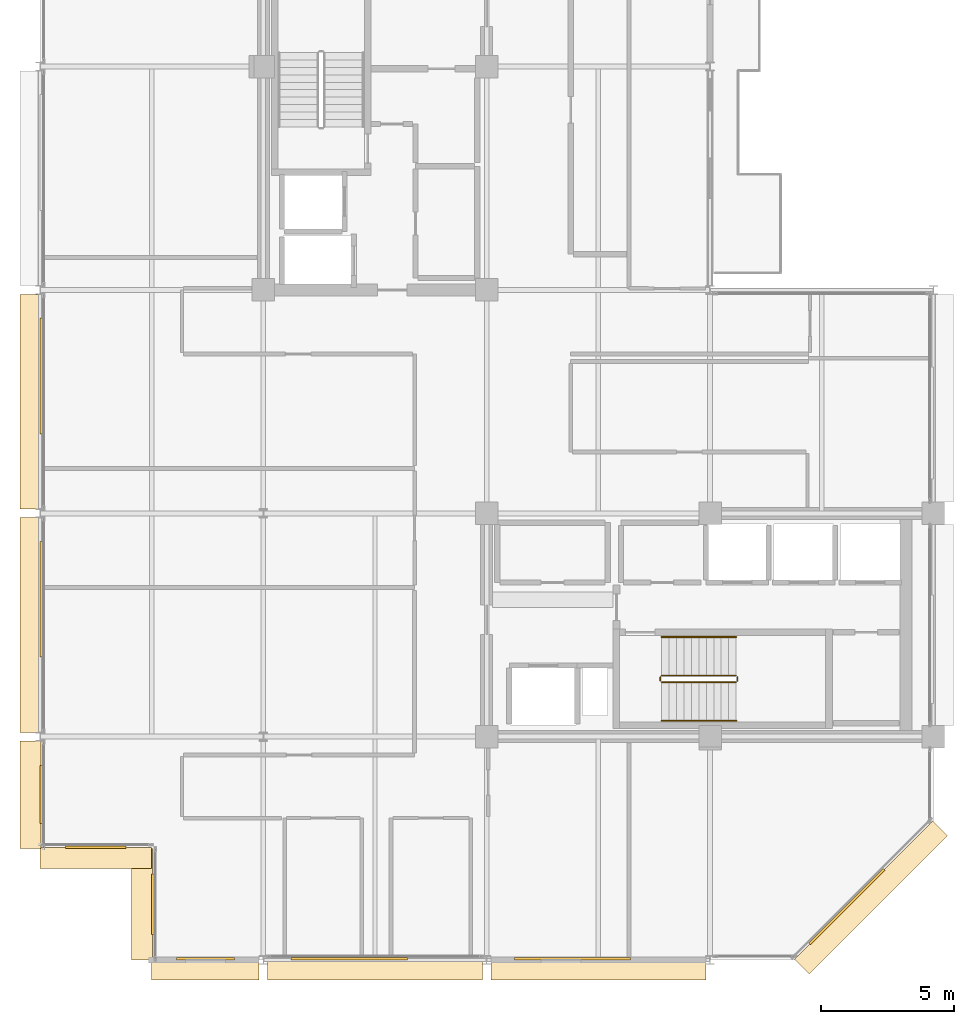
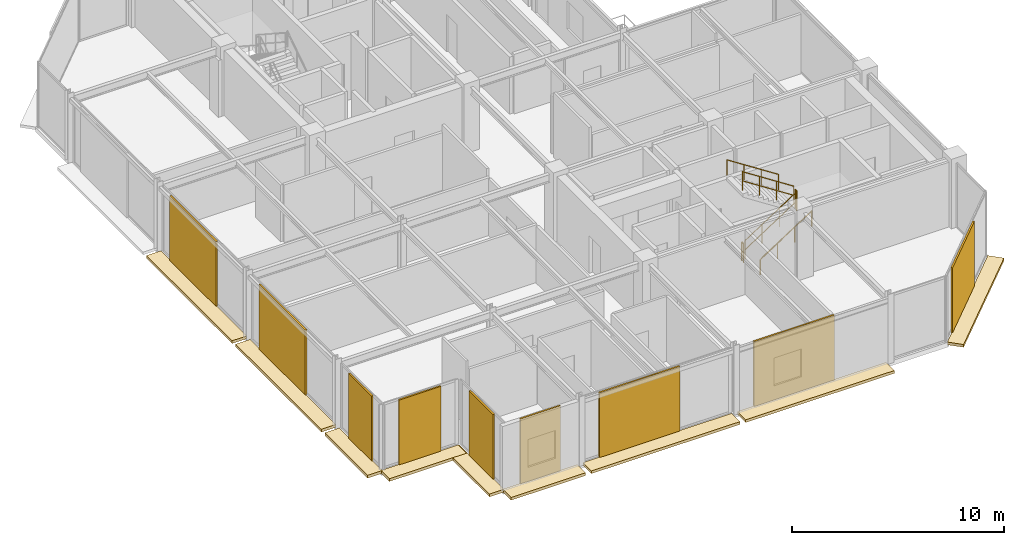
# One storey, part 23 of 25: 18 coverings, 6 railings.
"""IFC4 building model written with IfcOpenShell, lengths in metres."""

from ifc_helpers import new_model, si_unit, direction, frame, origin, origin_2d, place, context, subcontext, project, spatial, polyline, rectangle, circle, outline, extrude, material, layer, layer_set, type_object, element, save


model = new_model("IFC4")

# Units and contexts
model_context = context("Model", 3, precision=1e-05, world=origin(), true_north=direction((0.0, 1.0)))
body_context = subcontext(model_context, "Body", "Model", "MODEL_VIEW")
ifc_project = project(units=[si_unit("LENGTHUNIT", "METRE"), si_unit("AREAUNIT", "SQUARE_METRE"), si_unit("VOLUMEUNIT", "CUBIC_METRE"), si_unit("PLANEANGLEUNIT", "RADIAN"), si_unit("MASSUNIT", "GRAM", prefix="KILO")], contexts=[model_context])

# Site, building, storey
site_placement = place(None, origin())
site = spatial("IfcSite", under=ifc_project, at=site_placement, CompositionType="ELEMENT")
building_placement = place(site_placement, origin())
building = spatial("IfcBuilding", under=site, at=building_placement, Name="Nerrivon Quay Data Exchange", CompositionType="ELEMENT")
storey_placement = place(building_placement, frame((0.0, 0.0, 290.199951171875)))
storey = spatial("IfcBuildingStorey", under=building, at=storey_placement, Name="L69", CompositionType="ELEMENT", Elevation=290.199951171875)

# Coverings
ifc_material_1 = material(Name="Architectural terracotta ceramic", Category="masonry")
ifc_layer_1 = layer(ifc_material_1, 0.159912109375)
ifc_layer_set_1 = layer_set([ifc_layer_1], Name="Architectural terracotta ceramic")
covering_type_1 = type_object("IfcCoveringType", Name="COV-BLD-TERR", PredefinedType="CLADDING", material=ifc_layer_set_1)
covering_1_placement = place(storey_placement, frame((0.0, 0.0, -0.159912109375)))
element("IfcCovering", 1, at=covering_1_placement, inside=storey, type_object=covering_type_1, Name="L69 Horizontal Terracotta SOLAR SCREEN Blade", PredefinedType="CLADDING", context=body_context, shape_type="SweptSolid", body=[
    extrude(outline(polyline([(33.57177734375, 5.228271484375), (28.37158203125, 0.0283203125), (28.930419921875, -0.5302734375), (34.13037109375, 4.669677734375), (33.57177734375, 5.228271484375)])), origin(), (0.0, 0.0, 1.0), 0.159912109375),
])
covering_2_placement = place(storey_placement, frame((0.0, 0.0, -0.159912109375)))
element("IfcCovering", 2, at=covering_2_placement, inside=storey, type_object=covering_type_1, Name="L69 Horizontal Terracotta SOLAR SCREEN Blade", PredefinedType="CLADDING", context=body_context, shape_type="SweptSolid", body=[
    extrude(outline(polyline([(25.04443359375, 0.0400390625), (16.95556640625, 0.0400390625), (16.95556640625, -0.75), (25.04443359375, -0.75), (25.04443359375, 0.0400390625)])), origin(), (0.0, 0.0, 1.0), 0.159912109375),
])
covering_3_placement = place(storey_placement, frame((0.0, 0.0, -0.159912109375)))
element("IfcCovering", 3, at=covering_3_placement, inside=storey, type_object=covering_type_1, Name="L69 Horizontal Terracotta SOLAR SCREEN Blade", PredefinedType="CLADDING", context=body_context, shape_type="SweptSolid", body=[
    extrude(outline(polyline([(16.64453125, 0.0400390625), (8.555419921875, 0.0400390625), (8.555419921875, -0.75), (16.64453125, -0.75), (16.64453125, 0.0400390625)])), origin(), (0.0, 0.0, 1.0), 0.159912109375),
])
covering_4_placement = place(storey_placement, frame((0.0, 0.0, -0.159912109375)))
element("IfcCovering", 4, at=covering_4_placement, inside=storey, type_object=covering_type_1, Name="L69 Horizontal Terracotta SOLAR SCREEN Blade", PredefinedType="CLADDING", context=body_context, shape_type="SweptSolid", body=[
    extrude(outline(polyline([(8.244384765625, 0.0400390625), (4.199951171875, 0.0400390625), (4.199951171875, -0.75), (8.244384765625, -0.75), (8.244384765625, 0.0400390625)])), origin(), (0.0, 0.0, 1.0), 0.159912109375),
])
covering_5_placement = place(storey_placement, frame((0.0, 0.0, -0.159912109375)))
element("IfcCovering", 5, at=covering_5_placement, inside=storey, type_object=covering_type_1, Name="L69 Horizontal Terracotta SOLAR SCREEN Blade", PredefinedType="CLADDING", context=body_context, shape_type="SweptSolid", body=[
    extrude(outline(polyline([(4.239990234375, 0.0), (4.239990234375, 4.199951171875), (3.449951171875, 4.199951171875), (3.449951171875, 0.0), (4.239990234375, 0.0)])), origin(), (0.0, 0.0, 1.0), 0.159912109375),
])
covering_6_placement = place(storey_placement, frame((0.0, 0.0, -0.159912109375)))
element("IfcCovering", 6, at=covering_6_placement, inside=storey, type_object=covering_type_1, Name="L69 Horizontal Terracotta SOLAR SCREEN Blade", PredefinedType="CLADDING", context=body_context, shape_type="SweptSolid", body=[
    extrude(outline(polyline([(4.199951171875, 4.239990234375), (0.0, 4.239990234375), (0.0, 3.449951171875), (4.199951171875, 3.449951171875), (4.199951171875, 4.239990234375)])), origin(), (0.0, 0.0, 1.0), 0.159912109375),
])
covering_7_placement = place(storey_placement, frame((0.0, 0.0, -0.159912109375)))
element("IfcCovering", 7, at=covering_7_placement, inside=storey, type_object=covering_type_1, Name="L69 Horizontal Terracotta SOLAR SCREEN Blade", PredefinedType="CLADDING", context=body_context, shape_type="SweptSolid", body=[
    extrude(outline(polyline([(0.0400390625, 4.199951171875), (0.0400390625, 8.236572265625), (-0.75, 8.236572265625), (-0.75, 4.199951171875), (0.0400390625, 4.199951171875)])), origin(), (0.0, 0.0, 1.0), 0.159912109375),
])
covering_8_placement = place(storey_placement, frame((0.0, 0.0, -0.159912109375)))
element("IfcCovering", 8, at=covering_8_placement, inside=storey, type_object=covering_type_1, Name="L69 Horizontal Terracotta SOLAR SCREEN Blade", PredefinedType="CLADDING", context=body_context, shape_type="SweptSolid", body=[
    extrude(outline(polyline([(0.0400390625, 8.5634765625), (0.0400390625, 16.636474609375), (-0.75, 16.636474609375), (-0.75, 8.5634765625), (0.0400390625, 8.5634765625)])), origin(), (0.0, 0.0, 1.0), 0.159912109375),
])
covering_9_placement = place(storey_placement, frame((0.0, 0.0, -0.159912109375)))
element("IfcCovering", 9, at=covering_9_placement, inside=storey, type_object=covering_type_1, Name="L69 Horizontal Terracotta SOLAR SCREEN Blade", PredefinedType="CLADDING", context=body_context, shape_type="SweptSolid", body=[
    extrude(outline(polyline([(0.0400390625, 16.96337890625), (0.0400390625, 25.03662109375), (-0.75, 25.03662109375), (-0.75, 16.96337890625), (0.0400390625, 16.96337890625)])), origin(), (0.0, 0.0, 1.0), 0.159912109375),
])
ifc_layer_2 = layer(ifc_material_1, 0.090087890625)
ifc_layer_set_2 = layer_set([ifc_layer_2], Name="Architectural terracotta ceramic")
covering_type_2 = type_object("IfcCoveringType", Name="COV-SCR-TERR", PredefinedType="CLADDING", material=ifc_layer_set_2)
covering_10_placement = place(storey_placement, frame((30.34423828125, 2.0078125, 0.0), z_axis=(0.0, 0.0, 1.0), x_axis=(-0.707106781187, -0.707106781187, 0.0)))
element("IfcCovering", 10, at=covering_10_placement, inside=storey, type_object=covering_type_2, Name="L69 Perforated Terracotta SOLAR SCREEN Cassette", PredefinedType="CLADDING", context=body_context, shape_type="SweptSolid", body=[
    extrude(rectangle(XDim=3.970947265625, YDim=0.090087890625, at=origin_2d()), origin(), (0.0, 0.0, 1.0), 3.72509765625),
])
for number, where, z_axis, x_axis, name in (
    (11, (20.029296875, 0.044921875, 0.0), (0.0, 0.0, 1.0), (-1.0, 0.0, 0.0), "L69 Perforated Terracotta SOLAR SCREEN Cassette"),
    (12, (11.62939453125, 0.044921875, 0.0), (0.0, 0.0, 1.0), (-1.0, 0.0, 0.0), "L69 Perforated Terracotta SOLAR SCREEN Cassette"),
):
    element("IfcCovering", number, at=place(storey_placement, frame(where, z_axis=z_axis, x_axis=x_axis)), inside=storey, type_object=covering_type_2, Name=name, PredefinedType="CLADDING", context=body_context, shape_type="SweptSolid", body=[
        extrude(rectangle(XDim=4.367919921875, YDim=0.090087890625, at=origin_2d()), origin(), (0.0, 0.0, 1.0), 3.72509765625),
    ])
covering_11_placement = place(storey_placement, frame((6.222412109375, 0.044921875, 0.0), z_axis=(0.0, 0.0, 1.0), x_axis=(-1.0, 0.0, 0.0)))
element("IfcCovering", 13, at=covering_11_placement, inside=storey, type_object=covering_type_2, Name="L69 Perforated Terracotta SOLAR SCREEN Cassette", PredefinedType="CLADDING", context=body_context, shape_type="SweptSolid", body=[
    extrude(rectangle(XDim=2.18408203125, YDim=0.090087890625, at=origin_2d()), origin(), (0.0, 0.0, 1.0), 3.72509765625),
])
for number, where, z_axis, x_axis, name in (
    (14, (4.2451171875, 2.10009765625, 0.0), (0.0, 0.0, 1.0), (0.0, 1.0, 0.0), "L69 Perforated Terracotta SOLAR SCREEN Cassette"),
    (15, (2.10009765625, 4.2451171875, 0.0), (0.0, 0.0, 1.0), (-1.0, 0.0, 0.0), "L69 Perforated Terracotta SOLAR SCREEN Cassette"),
):
    element("IfcCovering", number, at=place(storey_placement, frame(where, z_axis=z_axis, x_axis=x_axis)), inside=storey, type_object=covering_type_2, Name=name, PredefinedType="CLADDING", context=body_context, shape_type="SweptSolid", body=[
        extrude(rectangle(XDim=2.26806640625, YDim=0.090087890625, at=origin_2d()), origin(), (0.0, 0.0, 1.0), 3.72509765625),
    ])
covering_12_placement = place(storey_placement, frame((0.044921875, 6.21826171875, 0.0), z_axis=(0.0, 0.0, 1.0), x_axis=(0.0, 1.0, 0.0)))
element("IfcCovering", 16, at=covering_12_placement, inside=storey, type_object=covering_type_2, Name="L69 Perforated Terracotta SOLAR SCREEN Cassette", PredefinedType="CLADDING", context=body_context, shape_type="SweptSolid", body=[
    extrude(rectangle(XDim=2.179931640625, YDim=0.090087890625, at=origin_2d()), origin(), (0.0, 0.0, 1.0), 3.72509765625),
])
for number, where, z_axis, x_axis, name in (
    (17, (0.044921875, 13.56884765625, 0.0), (0.0, 0.0, 1.0), (0.0, 1.0, 0.0), "L69 Perforated Terracotta SOLAR SCREEN Cassette"),
    (18, (0.044921875, 21.96875, 0.0), (0.0, 0.0, 1.0), (0.0, 1.0, 0.0), "L69 Perforated Terracotta SOLAR SCREEN Cassette"),
):
    element("IfcCovering", number, at=place(storey_placement, frame(where, z_axis=z_axis, x_axis=x_axis)), inside=storey, type_object=covering_type_2, Name=name, PredefinedType="CLADDING", context=body_context, shape_type="SweptSolid", body=[
        extrude(rectangle(XDim=4.35888671875, YDim=0.090087890625, at=origin_2d()), origin(), (0.0, 0.0, 1.0), 3.72509765625),
    ])

# Railings
ifc_material_2 = material(Name="Steel Grade C350L0 (350 MPa)", Category="steel")
railing_type_1 = type_object("IfcRailingType", Name="RAIL-HAND-HR1", PredefinedType="HANDRAIL", material=ifc_material_2)
railing_1_placement = place(storey_placement, frame((23.3798828125, 9.0, 0.181884765625)))
element("IfcRailing", 19, at=railing_1_placement, inside=storey, type_object=railing_type_1, Name="L69 ST02 stair handrail 1", PredefinedType="HANDRAIL", context=body_context, shape_type="SweptSolid", body=[
    extrude(circle(Radius=0.02392578125, at=origin_2d()), frame((0.0, 0.0, 0.8759765625), z_axis=(0.838705829183, 0.0, 0.544584733623), x_axis=(0.0, 1.0, 0.0)), (0.0, 0.0, 1.0), 3.338623046875),
    extrude(circle(Radius=0.02099609375, at=origin_2d()), origin(), (0.0, 0.0, 1.0), 0.851806640625),
    extrude(circle(Radius=0.02099609375, at=origin_2d()), frame((0.933349609375, 0.0, 0.60595703125)), (0.0, 0.0, 1.0), 0.851806640625),
    extrude(circle(Radius=0.02099609375, at=origin_2d()), frame((1.86669921875, 0.0, 1.212158203125)), (0.0, 0.0, 1.0), 0.851806640625),
    extrude(circle(Radius=0.02099609375, at=origin_2d()), frame((2.800048828125, 0.0, 1.818115234375)), (0.0, 0.0, 1.0), 0.851806640625),
])
railing_2_placement = place(storey_placement, frame((26.179931640625, 12.14990234375, 2.181884765625)))
element("IfcRailing", 20, at=railing_2_placement, inside=storey, type_object=railing_type_1, Name="L69 ST02 stair handrail 2", PredefinedType="HANDRAIL", context=body_context, shape_type="SweptSolid", body=[
    extrude(circle(Radius=0.02392578125, at=origin_2d()), frame((0.0, 0.0, 0.8759765625), z_axis=(-0.838705829183, 0.0, 0.544584733623), x_axis=(0.0, -1.0, 0.0)), (0.0, 0.0, 1.0), 3.338623046875),
    extrude(circle(Radius=0.02099609375, at=origin_2d()), origin(), (0.0, 0.0, 1.0), 0.851806640625),
    extrude(circle(Radius=0.02099609375, at=origin_2d()), frame((-0.933349609375, 0.0, 0.60595703125)), (0.0, 0.0, 1.0), 0.851806640625),
    extrude(circle(Radius=0.02099609375, at=origin_2d()), frame((-1.86669921875, 0.0, 1.212158203125)), (0.0, 0.0, 1.0), 0.851806640625),
    extrude(circle(Radius=0.02099609375, at=origin_2d()), frame((-2.800048828125, 0.0, 1.818115234375)), (0.0, 0.0, 1.0), 0.851806640625),
])
railing_type_2 = type_object("IfcRailingType", Name="RAIL-STAIR-GR1", PredefinedType="BALUSTRADE", material=ifc_material_2)
railing_3_placement = place(storey_placement, frame((23.3798828125, 10.449951171875, 0.181884765625)))
element("IfcRailing", 21, at=railing_3_placement, inside=storey, type_object=railing_type_2, Name="L69 ST02 stair guard 1", PredefinedType="BALUSTRADE", context=body_context, shape_type="SweptSolid", body=[
    extrude(circle(Radius=0.02392578125, at=origin_2d()), frame((0.0, 0.0, 1.076171875), z_axis=(0.838705829183, 0.0, 0.544584733623), x_axis=(0.0, 1.0, 0.0)), (0.0, 0.0, 1.0), 3.338623046875),
    extrude(circle(Radius=0.02392578125, at=origin_2d()), frame((0.0, 0.0, 0.550048828125), z_axis=(0.838705829183, 0.0, 0.544584733623), x_axis=(0.0, 1.0, 0.0)), (0.0, 0.0, 1.0), 3.338623046875),
    extrude(circle(Radius=0.02099609375, at=origin_2d()), origin(), (0.0, 0.0, 1.0), 1.052001953125),
    extrude(circle(Radius=0.02099609375, at=origin_2d()), frame((0.933349609375, 0.0, 0.60595703125)), (0.0, 0.0, 1.0), 1.052001953125),
    extrude(circle(Radius=0.02099609375, at=origin_2d()), frame((1.86669921875, 0.0, 1.212158203125)), (0.0, 0.0, 1.0), 1.052001953125),
    extrude(circle(Radius=0.02099609375, at=origin_2d()), frame((2.800048828125, 0.0, 1.818115234375)), (0.0, 0.0, 1.0), 1.052001953125),
])
railing_4_placement = place(storey_placement, frame((26.22998046875, 10.5, 2.0)))
element("IfcRailing", 22, at=railing_4_placement, inside=storey, type_object=railing_type_2, Name="L69 ST02 stair guard 2", PredefinedType="BALUSTRADE", context=body_context, shape_type="SweptSolid", body=[
    extrude(circle(Radius=0.02392578125, at=origin_2d()), frame((0.0, 0.0, 1.076171875), z_axis=(0.0, 1.0, 0.0), x_axis=(-1.0, 0.0, 0.0)), (0.0, 0.0, 1.0), 0.14990234375),
    extrude(circle(Radius=0.02392578125, at=origin_2d()), frame((0.0, 0.0, 0.550048828125), z_axis=(0.0, 1.0, 0.0), x_axis=(-1.0, 0.0, 0.0)), (0.0, 0.0, 1.0), 0.14990234375),
    extrude(circle(Radius=0.02099609375, at=origin_2d()), origin(), (0.0, 0.0, 1.0), 1.052001953125),
    extrude(circle(Radius=0.02099609375, at=origin_2d()), frame((0.0, 0.14990234375, 0.0)), (0.0, 0.0, 1.0), 1.052001953125),
])
railing_5_placement = place(storey_placement, frame((26.179931640625, 10.699951171875, 2.181884765625)))
element("IfcRailing", 23, at=railing_5_placement, inside=storey, type_object=railing_type_2, Name="L69 ST02 stair guard 3", PredefinedType="BALUSTRADE", context=body_context, shape_type="SweptSolid", body=[
    extrude(circle(Radius=0.02392578125, at=origin_2d()), frame((0.0, 0.0, 1.076171875), z_axis=(-0.838705829183, 0.0, 0.544584733623), x_axis=(0.0, -1.0, 0.0)), (0.0, 0.0, 1.0), 3.338623046875),
    extrude(circle(Radius=0.02392578125, at=origin_2d()), frame((0.0, 0.0, 0.550048828125), z_axis=(-0.838705829183, 0.0, 0.544584733623), x_axis=(0.0, -1.0, 0.0)), (0.0, 0.0, 1.0), 3.338623046875),
    extrude(circle(Radius=0.02099609375, at=origin_2d()), origin(), (0.0, 0.0, 1.0), 1.052001953125),
    extrude(circle(Radius=0.02099609375, at=origin_2d()), frame((-0.933349609375, 0.0, 0.60595703125)), (0.0, 0.0, 1.0), 1.052001953125),
    extrude(circle(Radius=0.02099609375, at=origin_2d()), frame((-1.86669921875, 0.0, 1.212158203125)), (0.0, 0.0, 1.0), 1.052001953125),
    extrude(circle(Radius=0.02099609375, at=origin_2d()), frame((-2.800048828125, 0.0, 1.818115234375)), (0.0, 0.0, 1.0), 1.052001953125),
])
railing_6_placement = place(storey_placement, frame((23.330078125, 10.5, 0.0)))
element("IfcRailing", 24, at=railing_6_placement, inside=storey, type_object=railing_type_2, Name="L69 ST02 stair guard 4", PredefinedType="BALUSTRADE", context=body_context, shape_type="SweptSolid", body=[
    extrude(circle(Radius=0.02392578125, at=origin_2d()), frame((0.0, 0.0, 1.076171875), z_axis=(0.0, 1.0, 0.0), x_axis=(-1.0, 0.0, 0.0)), (0.0, 0.0, 1.0), 0.14990234375),
    extrude(circle(Radius=0.02392578125, at=origin_2d()), frame((0.0, 0.0, 0.550048828125), z_axis=(0.0, 1.0, 0.0), x_axis=(-1.0, 0.0, 0.0)), (0.0, 0.0, 1.0), 0.14990234375),
    extrude(circle(Radius=0.02099609375, at=origin_2d()), origin(), (0.0, 0.0, 1.0), 1.052001953125),
    extrude(circle(Radius=0.02099609375, at=origin_2d()), frame((0.0, 0.14990234375, 0.0)), (0.0, 0.0, 1.0), 1.052001953125),
])

save(model, "model.ifc")
